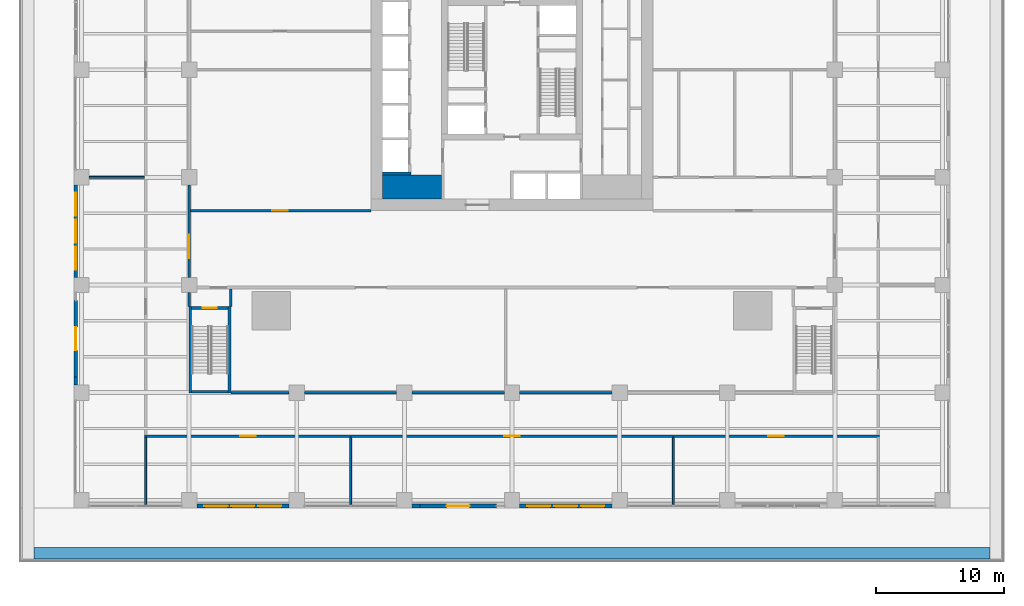
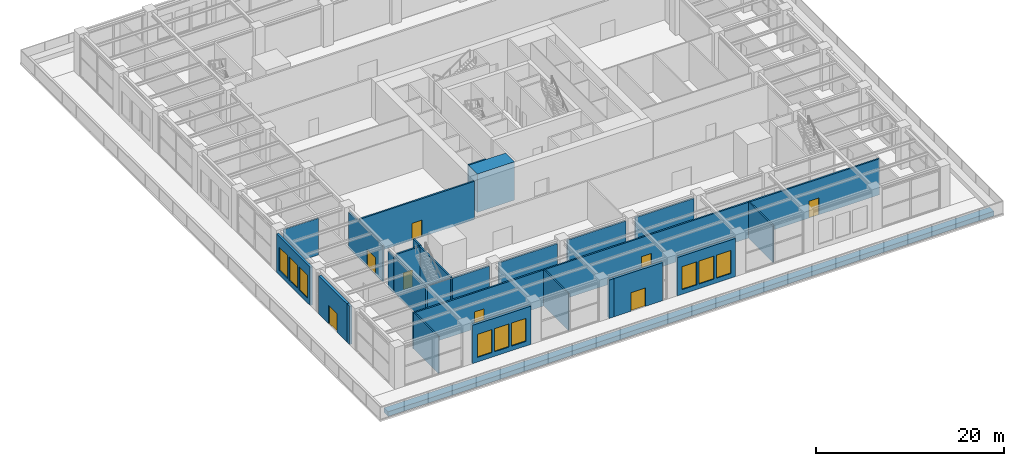
# One storey, part 22 of 36: 27 walls, 9 windows, 8 doors, 17 openings.
"""IFC4 building model written with IfcOpenShell, lengths in metres."""

from ifc_helpers import new_model, si_unit, direction, frame, frame_2d, origin, place, context, subcontext, project, spatial, rectangle, extrude, material, layer, layer_set, type_object, element, fill, save


model = new_model("IFC4")

# Units and contexts
model_context = context("Model", 3, precision=1e-05, world=origin(), true_north=direction((0.0, 1.0)))
body_context = subcontext(model_context, "Body", "Model", "MODEL_VIEW")
ifc_project = project(units=[si_unit("LENGTHUNIT", "METRE"), si_unit("AREAUNIT", "SQUARE_METRE"), si_unit("VOLUMEUNIT", "CUBIC_METRE"), si_unit("PLANEANGLEUNIT", "RADIAN"), si_unit("MASSUNIT", "GRAM", prefix="KILO")], contexts=[model_context])

# Site, building, storey
site_placement = place(None, origin())
site = spatial("IfcSite", under=ifc_project, at=site_placement, CompositionType="ELEMENT")
building_placement = place(site_placement, origin())
building = spatial("IfcBuilding", under=site, at=building_placement, Name="Khepri Terraces", CompositionType="ELEMENT")
storey_placement = place(building_placement, frame((0.0, 0.0, 16.800048828125)))
storey = spatial("IfcBuildingStorey", under=building, at=storey_placement, Name="L03", CompositionType="ELEMENT", Elevation=16.800048828125)

# Walls
ifc_material_1 = material(Name="Concrete C80/95", Category="concrete")
ifc_layer_1 = layer(ifc_material_1, 1.89990234375, Name="Concrete C80/95", Category="concrete")
ifc_layer_set_1 = layer_set([ifc_layer_1], Name="Concrete C80/95")
wall_type_1 = type_object("IfcWallType", Name="Core wall 1900 C80/95", PredefinedType="SHEAR", material=ifc_layer_set_1)
wall_1_placement = place(storey_placement, frame((-10.10009765625, -9.14990234375, 0.0), z_axis=(0.0, 0.0, 1.0), x_axis=(1.0, 0.0, 0.0)))
element("IfcWall", 1, at=wall_1_placement, inside=storey, type_object=wall_type_1, Name="Core wall PR01 L03", PredefinedType="SHEAR", context=body_context, shape_type="SweptSolid", body=[
    extrude(rectangle(XDim=4.60009765625, YDim=1.89990234375, at=frame_2d((2.300048828125, 0.0))), origin(), (0.0, 0.0, 1.0), 4.97998046875),
])
ifc_layer_2 = layer(ifc_material_1, 0.199951171875, Name="Concrete C80/95", Category="concrete")
ifc_layer_set_2 = layer_set([ifc_layer_2], Name="Concrete C80/95")
wall_type_2 = type_object("IfcWallType", Name="Core wall 200 C80/95", PredefinedType="SHEAR", material=ifc_layer_set_2)
wall_2_placement = place(storey_placement, frame((-10.10009765625, -8.10009765625, 0.0), z_axis=(0.0, 0.0, 1.0), x_axis=(1.0, 0.0, 0.0)))
element("IfcWall", 2, at=wall_2_placement, inside=storey, type_object=wall_type_2, Name="Core wall SH04 L03", PredefinedType="SHEAR", context=body_context, shape_type="SweptSolid", body=[
    extrude(rectangle(XDim=2.2001953125, YDim=0.199951171875, at=frame_2d((1.10009765625, 0.0))), origin(), (0.0, 0.0, 1.0), 4.97998046875),
])

# Wall, openings, windows
ifc_material_2 = material(Name="Precast concrete C50/60 warm stone", Category="masonry")
ifc_layer_3 = layer(ifc_material_2, 0.300048828125, Name="Precast concrete C50/60 warm stone", Category="masonry")
ifc_layer_set_3 = layer_set([ifc_layer_3], Name="Precast concrete C50/60 warm stone")
wall_type_3 = type_object("IfcWallType", Name="WL-EXT-PRECAST-300", PredefinedType="STANDARD", material=ifc_layer_set_3)
wall_3_placement = place(storey_placement, frame((-24.60009765625, -34.050048828125, 0.0), z_axis=(0.0, 0.0, 1.0), x_axis=(1.0, 0.0, 0.0)))
wall_3 = element("IfcWall", 3, at=wall_3_placement, inside=storey, type_object=wall_type_3, Name="External wall L03 S", PredefinedType="STANDARD", context=body_context, shape_type="SweptSolid", body=[
    extrude(rectangle(XDim=7.2001953125, YDim=0.300048828125, at=frame_2d((3.60009765625, 0.0))), origin(), (0.0, 0.0, 1.0), 4.97998046875),
])
opening_1_placement = place(wall_3_placement, frame((0.60009765625, 0.0, 0.60009765625)))
opening_1 = element("IfcOpeningElement", 4, at=opening_1_placement, cuts=wall_3, Name="Opening WP1", PredefinedType="OPENING", context=body_context, shape_type="SweptSolid", body=[
    extrude(rectangle(XDim=1.800048828125, YDim=3.0, at=frame_2d((0.89990234375, 1.5))), frame((0.0, 0.16015625, 0.0), z_axis=(0.0, -1.0, 0.0), x_axis=(1.0, 0.0, 0.0)), (0.0, 0.0, 1.0), 0.320068359375),
])
opening_2_placement = place(wall_3_placement, frame((2.699951171875, 0.0, 0.60009765625)))
opening_2 = element("IfcOpeningElement", 5, at=opening_2_placement, cuts=wall_3, Name="Opening WP1", PredefinedType="OPENING", context=body_context, shape_type="SweptSolid", body=[
    extrude(rectangle(XDim=1.800048828125, YDim=3.0, at=frame_2d((0.89990234375, 1.5))), frame((0.0, 0.16015625, 0.0), z_axis=(0.0, -1.0, 0.0), x_axis=(1.0, 0.0, 0.0)), (0.0, 0.0, 1.0), 0.320068359375),
])
opening_3_placement = place(wall_3_placement, frame((4.800048828125, 0.0, 0.60009765625)))
opening_3 = element("IfcOpeningElement", 6, at=opening_3_placement, cuts=wall_3, Name="Opening WP1", PredefinedType="OPENING", context=body_context, shape_type="SweptSolid", body=[
    extrude(rectangle(XDim=1.800048828125, YDim=3.0, at=frame_2d((0.89990234375, 1.5))), frame((0.0, 0.16015625, 0.0), z_axis=(0.0, -1.0, 0.0), x_axis=(1.0, 0.0, 0.0)), (0.0, 0.0, 1.0), 0.320068359375),
])
ifc_material_3 = material(Name="Clear glass", Category="glass")
window_type = type_object("IfcWindowType", Name="WIN-POD-1800x3000", PartitioningType="SINGLE_PANEL", PredefinedType="WINDOW", material=ifc_material_3)
window_1_placement = place(opening_1_placement, origin())
window_1 = element("IfcWindow", 7, at=window_1_placement, inside=storey, type_object=window_type, Name="Window L03 S", OverallHeight=3.0, OverallWidth=1.800048828125, PartitioningType="SINGLE_PANEL", PredefinedType="WINDOW", context=body_context, shape_type="SweptSolid", body=[
    extrude(rectangle(XDim=1.800048828125, YDim=3.0, at=frame_2d((0.89990234375, 1.5))), frame((0.0, 0.030029296875, 0.0), z_axis=(0.0, -1.0, 0.0), x_axis=(1.0, 0.0, 0.0)), (0.0, 0.0, 1.0), 0.06005859375),
])
fill(opening_1, window_1)
window_2_placement = place(opening_2_placement, origin())
window_2 = element("IfcWindow", 8, at=window_2_placement, inside=storey, type_object=window_type, Name="Window L03 S", OverallHeight=3.0, OverallWidth=1.800048828125, PartitioningType="SINGLE_PANEL", PredefinedType="WINDOW", context=body_context, shape_type="SweptSolid", body=[
    extrude(rectangle(XDim=1.800048828125, YDim=3.0, at=frame_2d((0.89990234375, 1.5))), frame((0.0, 0.030029296875, 0.0), z_axis=(0.0, -1.0, 0.0), x_axis=(1.0, 0.0, 0.0)), (0.0, 0.0, 1.0), 0.06005859375),
])
fill(opening_2, window_2)
window_3_placement = place(opening_3_placement, origin())
window_3 = element("IfcWindow", 9, at=window_3_placement, inside=storey, type_object=window_type, Name="Window L03 S", OverallHeight=3.0, OverallWidth=1.800048828125, PartitioningType="SINGLE_PANEL", PredefinedType="WINDOW", context=body_context, shape_type="SweptSolid", body=[
    extrude(rectangle(XDim=1.800048828125, YDim=3.0, at=frame_2d((0.89990234375, 1.5))), frame((0.0, 0.030029296875, 0.0), z_axis=(0.0, -1.0, 0.0), x_axis=(1.0, 0.0, 0.0)), (0.0, 0.0, 1.0), 0.06005859375),
])
fill(opening_3, window_3)

# Wall
wall_4_placement = place(storey_placement, frame((-7.800048828125, -34.050048828125, 0.0), z_axis=(0.0, 0.0, 1.0), x_axis=(1.0, 0.0, 0.0)))
element("IfcWall", 10, at=wall_4_placement, inside=storey, type_object=wall_type_3, Name="External wall L03 S", PredefinedType="STANDARD", context=body_context, shape_type="SweptSolid", body=[
    extrude(rectangle(XDim=0.60009765625, YDim=0.300048828125, at=frame_2d((0.300048828125, 0.0))), origin(), (0.0, 0.0, 1.0), 4.97998046875),
])

# Wall, opening, door
wall_5_placement = place(storey_placement, frame((-7.199951171875, -34.050048828125, 0.0), z_axis=(0.0, 0.0, 1.0), x_axis=(1.0, 0.0, 0.0)))
wall_5 = element("IfcWall", 11, at=wall_5_placement, inside=storey, type_object=wall_type_3, Name="External wall L03 S", PredefinedType="STANDARD", context=body_context, shape_type="SweptSolid", body=[
    extrude(rectangle(XDim=6.0, YDim=0.300048828125, at=frame_2d((3.0, 0.0))), origin(), (0.0, 0.0, 1.0), 4.97998046875),
])
opening_4_placement = place(wall_5_placement, frame((2.10009765625, 0.0, 0.0)))
opening_4 = element("IfcOpeningElement", 12, at=opening_4_placement, cuts=wall_5, Name="Opening ED-L03-01", PredefinedType="OPENING", context=body_context, shape_type="SweptSolid", body=[
    extrude(rectangle(XDim=1.800048828125, YDim=2.39990234375, at=frame_2d((0.89990234375, 1.199951171875))), frame((0.0, 0.16015625, 0.0), z_axis=(0.0, -1.0, 0.0), x_axis=(1.0, 0.0, 0.0)), (0.0, 0.0, 1.0), 0.320068359375),
])
ifc_material_4 = material(Name="Anodised aluminium bronze glazed door", Category="aluminium")
door_type_1 = type_object("IfcDoorType", Name="DR-BAL-SLIDE-1800x2400", OperationType="NOTDEFINED", PredefinedType="DOOR", material=ifc_material_4)
door_1_placement = place(opening_4_placement, origin())
door_1 = element("IfcDoor", 13, at=door_1_placement, inside=storey, type_object=door_type_1, Name="Balcony door L03 S", OperationType="SLIDING_TO_LEFT", OverallHeight=2.39990234375, OverallWidth=1.800048828125, PredefinedType="DOOR", context=body_context, shape_type="SweptSolid", body=[
    extrude(rectangle(XDim=1.800048828125, YDim=2.39990234375, at=frame_2d((0.89990234375, 1.199951171875))), frame((0.0, 0.02490234375, 0.0), z_axis=(0.0, -1.0, 0.0), x_axis=(1.0, 0.0, 0.0)), (0.0, 0.0, 1.0), 0.050048828125),
])
fill(opening_4, door_1)

# Wall, openings, windows
wall_6_placement = place(storey_placement, frame((0.60009765625, -34.050048828125, 0.0), z_axis=(0.0, 0.0, 1.0), x_axis=(1.0, 0.0, 0.0)))
wall_6 = element("IfcWall", 14, at=wall_6_placement, inside=storey, type_object=wall_type_3, Name="External wall L03 S", PredefinedType="STANDARD", context=body_context, shape_type="SweptSolid", body=[
    extrude(rectangle(XDim=7.199951171875, YDim=0.300048828125, at=frame_2d((3.60009765625, 0.0))), origin(), (0.0, 0.0, 1.0), 4.97998046875),
])
opening_5_placement = place(wall_6_placement, frame((0.60009765625, 0.0, 0.60009765625)))
opening_5 = element("IfcOpeningElement", 15, at=opening_5_placement, cuts=wall_6, Name="Opening WP1", PredefinedType="OPENING", context=body_context, shape_type="SweptSolid", body=[
    extrude(rectangle(XDim=1.800048828125, YDim=3.0, at=frame_2d((0.89990234375, 1.5))), frame((0.0, 0.16015625, 0.0), z_axis=(0.0, -1.0, 0.0), x_axis=(1.0, 0.0, 0.0)), (0.0, 0.0, 1.0), 0.320068359375),
])
opening_6_placement = place(wall_6_placement, frame((2.699951171875, 0.0, 0.60009765625)))
opening_6 = element("IfcOpeningElement", 16, at=opening_6_placement, cuts=wall_6, Name="Opening WP1", PredefinedType="OPENING", context=body_context, shape_type="SweptSolid", body=[
    extrude(rectangle(XDim=1.800048828125, YDim=3.0, at=frame_2d((0.89990234375, 1.5))), frame((0.0, 0.16015625, 0.0), z_axis=(0.0, -1.0, 0.0), x_axis=(1.0, 0.0, 0.0)), (0.0, 0.0, 1.0), 0.320068359375),
])
opening_7_placement = place(wall_6_placement, frame((4.800048828125, 0.0, 0.60009765625)))
opening_7 = element("IfcOpeningElement", 17, at=opening_7_placement, cuts=wall_6, Name="Opening WP1", PredefinedType="OPENING", context=body_context, shape_type="SweptSolid", body=[
    extrude(rectangle(XDim=1.800048828125, YDim=3.0, at=frame_2d((0.89990234375, 1.5))), frame((0.0, 0.16015625, 0.0), z_axis=(0.0, -1.0, 0.0), x_axis=(1.0, 0.0, 0.0)), (0.0, 0.0, 1.0), 0.320068359375),
])
window_4_placement = place(opening_5_placement, origin())
window_4 = element("IfcWindow", 18, at=window_4_placement, inside=storey, type_object=window_type, Name="Window L03 S", OverallHeight=3.0, OverallWidth=1.800048828125, PartitioningType="SINGLE_PANEL", PredefinedType="WINDOW", context=body_context, shape_type="SweptSolid", body=[
    extrude(rectangle(XDim=1.800048828125, YDim=3.0, at=frame_2d((0.89990234375, 1.5))), frame((0.0, 0.030029296875, 0.0), z_axis=(0.0, -1.0, 0.0), x_axis=(1.0, 0.0, 0.0)), (0.0, 0.0, 1.0), 0.06005859375),
])
fill(opening_5, window_4)
window_5_placement = place(opening_6_placement, origin())
window_5 = element("IfcWindow", 19, at=window_5_placement, inside=storey, type_object=window_type, Name="Window L03 S", OverallHeight=3.0, OverallWidth=1.800048828125, PartitioningType="SINGLE_PANEL", PredefinedType="WINDOW", context=body_context, shape_type="SweptSolid", body=[
    extrude(rectangle(XDim=1.800048828125, YDim=3.0, at=frame_2d((0.89990234375, 1.5))), frame((0.0, 0.030029296875, 0.0), z_axis=(0.0, -1.0, 0.0), x_axis=(1.0, 0.0, 0.0)), (0.0, 0.0, 1.0), 0.06005859375),
])
fill(opening_6, window_5)
window_6_placement = place(opening_7_placement, origin())
window_6 = element("IfcWindow", 20, at=window_6_placement, inside=storey, type_object=window_type, Name="Window L03 S", OverallHeight=3.0, OverallWidth=1.800048828125, PartitioningType="SINGLE_PANEL", PredefinedType="WINDOW", context=body_context, shape_type="SweptSolid", body=[
    extrude(rectangle(XDim=1.800048828125, YDim=3.0, at=frame_2d((0.89990234375, 1.5))), frame((0.0, 0.030029296875, 0.0), z_axis=(0.0, -1.0, 0.0), x_axis=(1.0, 0.0, 0.0)), (0.0, 0.0, 1.0), 0.06005859375),
])
fill(opening_7, window_6)

wall_7_placement = place(storey_placement, frame((-34.050048828125, -9.0, 0.0), z_axis=(0.0, 0.0, 1.0), x_axis=(0.0, -1.0, 0.0)))
wall_7 = element("IfcWall", 21, at=wall_7_placement, inside=storey, type_object=wall_type_3, Name="External wall L03 W", PredefinedType="STANDARD", context=body_context, shape_type="SweptSolid", body=[
    extrude(rectangle(XDim=7.199951171875, YDim=0.300048828125, at=frame_2d((3.60009765625, 0.0))), origin(), (0.0, 0.0, 1.0), 4.97998046875),
])
opening_8_placement = place(wall_7_placement, frame((0.60009765625, 0.0, 0.60009765625)))
opening_8 = element("IfcOpeningElement", 22, at=opening_8_placement, cuts=wall_7, Name="Opening WP1", PredefinedType="OPENING", context=body_context, shape_type="SweptSolid", body=[
    extrude(rectangle(XDim=1.800048828125, YDim=3.0, at=frame_2d((0.89990234375, 1.5))), frame((0.0, 0.16015625, 0.0), z_axis=(0.0, -1.0, 0.0), x_axis=(1.0, 0.0, 0.0)), (0.0, 0.0, 1.0), 0.320068359375),
])
opening_9_placement = place(wall_7_placement, frame((2.699951171875, 0.0, 0.60009765625)))
opening_9 = element("IfcOpeningElement", 23, at=opening_9_placement, cuts=wall_7, Name="Opening WP1", PredefinedType="OPENING", context=body_context, shape_type="SweptSolid", body=[
    extrude(rectangle(XDim=1.800048828125, YDim=3.0, at=frame_2d((0.89990234375, 1.5))), frame((0.0, 0.16015625, 0.0), z_axis=(0.0, -1.0, 0.0), x_axis=(1.0, 0.0, 0.0)), (0.0, 0.0, 1.0), 0.320068359375),
])
opening_10_placement = place(wall_7_placement, frame((4.800048828125, 0.0, 0.60009765625)))
opening_10 = element("IfcOpeningElement", 24, at=opening_10_placement, cuts=wall_7, Name="Opening WP1", PredefinedType="OPENING", context=body_context, shape_type="SweptSolid", body=[
    extrude(rectangle(XDim=1.800048828125, YDim=3.0, at=frame_2d((0.89990234375, 1.5))), frame((0.0, 0.16015625, 0.0), z_axis=(0.0, -1.0, 0.0), x_axis=(1.0, 0.0, 0.0)), (0.0, 0.0, 1.0), 0.320068359375),
])
window_7_placement = place(opening_8_placement, origin())
window_7 = element("IfcWindow", 25, at=window_7_placement, inside=storey, type_object=window_type, Name="Window L03 W", OverallHeight=3.0, OverallWidth=1.800048828125, PartitioningType="SINGLE_PANEL", PredefinedType="WINDOW", context=body_context, shape_type="SweptSolid", body=[
    extrude(rectangle(XDim=1.800048828125, YDim=3.0, at=frame_2d((0.89990234375, 1.5))), frame((0.0, 0.030029296875, 0.0), z_axis=(0.0, -1.0, 0.0), x_axis=(1.0, 0.0, 0.0)), (0.0, 0.0, 1.0), 0.06005859375),
])
fill(opening_8, window_7)
window_8_placement = place(opening_9_placement, origin())
window_8 = element("IfcWindow", 26, at=window_8_placement, inside=storey, type_object=window_type, Name="Window L03 W", OverallHeight=3.0, OverallWidth=1.800048828125, PartitioningType="SINGLE_PANEL", PredefinedType="WINDOW", context=body_context, shape_type="SweptSolid", body=[
    extrude(rectangle(XDim=1.800048828125, YDim=3.0, at=frame_2d((0.89990234375, 1.5))), frame((0.0, 0.030029296875, 0.0), z_axis=(0.0, -1.0, 0.0), x_axis=(1.0, 0.0, 0.0)), (0.0, 0.0, 1.0), 0.06005859375),
])
fill(opening_9, window_8)
window_9_placement = place(opening_10_placement, origin())
window_9 = element("IfcWindow", 27, at=window_9_placement, inside=storey, type_object=window_type, Name="Window L03 W", OverallHeight=3.0, OverallWidth=1.800048828125, PartitioningType="SINGLE_PANEL", PredefinedType="WINDOW", context=body_context, shape_type="SweptSolid", body=[
    extrude(rectangle(XDim=1.800048828125, YDim=3.0, at=frame_2d((0.89990234375, 1.5))), frame((0.0, 0.030029296875, 0.0), z_axis=(0.0, -1.0, 0.0), x_axis=(1.0, 0.0, 0.0)), (0.0, 0.0, 1.0), 0.06005859375),
])
fill(opening_10, window_9)

# Wall, opening, door
wall_8_placement = place(storey_placement, frame((-34.050048828125, -18.0, 0.0), z_axis=(0.0, 0.0, 1.0), x_axis=(0.0, -1.0, 0.0)))
wall_8 = element("IfcWall", 28, at=wall_8_placement, inside=storey, type_object=wall_type_3, Name="External wall L03 W", PredefinedType="STANDARD", context=body_context, shape_type="SweptSolid", body=[
    extrude(rectangle(XDim=6.0, YDim=0.300048828125, at=frame_2d((3.0, 0.0))), origin(), (0.0, 0.0, 1.0), 4.97998046875),
])
opening_11_placement = place(wall_8_placement, frame((2.10009765625, 0.0, 0.0)))
opening_11 = element("IfcOpeningElement", 29, at=opening_11_placement, cuts=wall_8, Name="Opening ED-L03-06", PredefinedType="OPENING", context=body_context, shape_type="SweptSolid", body=[
    extrude(rectangle(XDim=1.800048828125, YDim=2.39990234375, at=frame_2d((0.89990234375, 1.199951171875))), frame((0.0, 0.16015625, 0.0), z_axis=(0.0, -1.0, 0.0), x_axis=(1.0, 0.0, 0.0)), (0.0, 0.0, 1.0), 0.320068359375),
])
door_2_placement = place(opening_11_placement, origin())
door_2 = element("IfcDoor", 30, at=door_2_placement, inside=storey, type_object=door_type_1, Name="Balcony door L03 W", OperationType="SLIDING_TO_LEFT", OverallHeight=2.39990234375, OverallWidth=1.800048828125, PredefinedType="DOOR", context=body_context, shape_type="SweptSolid", body=[
    extrude(rectangle(XDim=1.800048828125, YDim=2.39990234375, at=frame_2d((0.89990234375, 1.199951171875))), frame((0.0, 0.02490234375, 0.0), z_axis=(0.0, -1.0, 0.0), x_axis=(1.0, 0.0, 0.0)), (0.0, 0.0, 1.0), 0.050048828125),
])
fill(opening_11, door_2)

# Walls
wall_9_placement = place(storey_placement, frame((-34.050048828125, -24.0, 0.0), z_axis=(0.0, 0.0, 1.0), x_axis=(0.0, -1.0, 0.0)))
element("IfcWall", 31, at=wall_9_placement, inside=storey, type_object=wall_type_3, Name="External wall L03 W", PredefinedType="STANDARD", context=body_context, shape_type="SweptSolid", body=[
    extrude(rectangle(XDim=0.60009765625, YDim=0.300048828125, at=frame_2d((0.300048828125, 0.0))), origin(), (0.0, 0.0, 1.0), 4.97998046875),
])
ifc_layer_4 = layer(ifc_material_2, 0.89990234375, Name="Precast concrete C50/60 warm stone", Category="masonry")
ifc_layer_set_4 = layer_set([ifc_layer_4], Name="Precast concrete C50/60 warm stone")
wall_type_4 = type_object("IfcWallType", Name="WL-PLANTER-900", PredefinedType="MOVABLE", material=ifc_layer_set_4)
wall_10_placement = place(storey_placement, frame((-37.300048828125, -37.75, 0.0), z_axis=(0.0, 0.0, 1.0), x_axis=(1.0, 0.0, 0.0)))
element("IfcWall", 32, at=wall_10_placement, inside=storey, type_object=wall_type_4, Name="Planter L03", PredefinedType="MOVABLE", context=body_context, shape_type="SweptSolid", body=[
    extrude(rectangle(XDim=74.60009765625, YDim=0.89990234375, at=frame_2d((37.300048828125, 0.0))), origin(), (0.0, 0.0, 1.0), 0.599853515625),
])
ifc_material_5 = material(Name="Gypsum board partition")
ifc_layer_5 = layer(ifc_material_5, 0.14990234375, Name="Gypsum board partition")
ifc_layer_set_5 = layer_set([ifc_layer_5], Name="Gypsum board partition")
wall_type_5 = type_object("IfcWallType", Name="WL-POD-150", PredefinedType="PARTITIONING", material=ifc_layer_set_5)
wall_11_placement = place(storey_placement, frame((-33.0, -8.39990234375, 0.0), z_axis=(0.0, 0.0, 1.0), x_axis=(1.0, 0.0, 0.0)))
element("IfcWall", 33, at=wall_11_placement, inside=storey, type_object=wall_type_5, Name="Partition L03-PW012", PredefinedType="PARTITIONING", context=body_context, shape_type="SweptSolid", body=[
    extrude(rectangle(XDim=4.300048828125, YDim=0.14990234375, at=frame_2d((2.14990234375, 0.0))), origin(), (0.0, 0.0, 1.0), 4.780029296875),
])
for number, where, z_axis, x_axis, name in (
    (34, (-28.60009765625, -33.949951171875, 0.0), (0.0, 0.0, 1.0), (0.0, 1.0, 0.0), "Partition L03-PW031"),
    (35, (-12.60009765625, -33.949951171875, 0.0), (0.0, 0.0, 1.0), (0.0, 1.0, 0.0), "Partition L03-PW042"),
    (36, (12.60009765625, -33.949951171875, 0.0), (0.0, 0.0, 1.0), (0.0, 1.0, 0.0), "Partition L03-PW045"),
):
    element("IfcWall", number, at=place(storey_placement, frame(where, z_axis=z_axis, x_axis=x_axis)), inside=storey, type_object=wall_type_5, Name=name, PredefinedType="PARTITIONING", context=body_context, shape_type="SweptSolid", body=[
        extrude(rectangle(XDim=5.25, YDim=0.14990234375, at=frame_2d((2.625, 0.0))), origin(), (0.0, 0.0, 1.0), 4.780029296875),
    ])

# Wall, openings, doors
ifc_material_6 = material(Name="Fire-rated block wall")
ifc_layer_6 = layer(ifc_material_6, 0.199951171875, Name="Fire-rated block wall")
ifc_layer_set_6 = layer_set([ifc_layer_6], Name="Fire-rated block wall")
wall_type_6 = type_object("IfcWallType", Name="WL-POD-200-EI60", PredefinedType="PARTITIONING", material=ifc_layer_set_6)
wall_12_placement = place(storey_placement, frame((-28.699951171875, -28.60009765625, 0.0), z_axis=(0.0, 0.0, 1.0), x_axis=(1.0, 0.0, 0.0)))
wall_12 = element("IfcWall", 37, at=wall_12_placement, inside=storey, type_object=wall_type_6, Name="Partition L03-PW001", PredefinedType="PARTITIONING", context=body_context, shape_type="SweptSolid", body=[
    extrude(rectangle(XDim=57.39990234375, YDim=0.199951171875, at=frame_2d((28.699951171875, 0.0))), origin(), (0.0, 0.0, 1.0), 4.679931640625),
])
opening_12_placement = place(wall_12_placement, frame((7.5, 0.0, 0.0)))
opening_12 = element("IfcOpeningElement", 38, at=opening_12_placement, cuts=wall_12, Name="Opening L03-P01", PredefinedType="OPENING", context=body_context, shape_type="SweptSolid", body=[
    extrude(rectangle(XDim=1.199951171875, YDim=2.199951171875, at=frame_2d((0.60009765625, 1.10009765625))), frame((0.0, 0.10986328125, 0.0), z_axis=(0.0, -1.0, 0.0), x_axis=(1.0, 0.0, 0.0)), (0.0, 0.0, 1.0), 0.219970703125),
])
opening_13_placement = place(wall_12_placement, frame((28.10009765625, 0.0, 0.0)))
opening_13 = element("IfcOpeningElement", 39, at=opening_13_placement, cuts=wall_12, Name="Opening L03-P02", PredefinedType="OPENING", context=body_context, shape_type="SweptSolid", body=[
    extrude(rectangle(XDim=1.199951171875, YDim=2.199951171875, at=frame_2d((0.60009765625, 1.10009765625))), frame((0.0, 0.10986328125, 0.0), z_axis=(0.0, -1.0, 0.0), x_axis=(1.0, 0.0, 0.0)), (0.0, 0.0, 1.0), 0.219970703125),
])
opening_14_placement = place(wall_12_placement, frame((48.699951171875, 0.0, 0.0)))
opening_14 = element("IfcOpeningElement", 40, at=opening_14_placement, cuts=wall_12, Name="Opening L03-P03", PredefinedType="OPENING", context=body_context, shape_type="SweptSolid", body=[
    extrude(rectangle(XDim=1.199951171875, YDim=2.199951171875, at=frame_2d((0.60009765625, 1.10009765625))), frame((0.0, 0.10986328125, 0.0), z_axis=(0.0, -1.0, 0.0), x_axis=(1.0, 0.0, 0.0)), (0.0, 0.0, 1.0), 0.219970703125),
])
ifc_material_7 = material(Name="Timber veneer", Category="wood")
door_type_2 = type_object("IfcDoorType", Name="DR-POD-SINGLE-1200", OperationType="NOTDEFINED", PredefinedType="DOOR", material=ifc_material_7)
door_3_placement = place(opening_12_placement, origin())
door_3 = element("IfcDoor", 41, at=door_3_placement, inside=storey, type_object=door_type_2, Name="Door L03-P01", OperationType="SINGLE_SWING_RIGHT", OverallHeight=2.199951171875, OverallWidth=1.199951171875, PredefinedType="DOOR", context=body_context, shape_type="SweptSolid", body=[
    extrude(rectangle(XDim=1.199951171875, YDim=2.199951171875, at=frame_2d((0.60009765625, 1.10009765625))), frame((0.0, 0.02490234375, 0.0), z_axis=(0.0, -1.0, 0.0), x_axis=(1.0, 0.0, 0.0)), (0.0, 0.0, 1.0), 0.050048828125),
])
fill(opening_12, door_3)
door_4_placement = place(opening_13_placement, origin())
door_4 = element("IfcDoor", 42, at=door_4_placement, inside=storey, type_object=door_type_2, Name="Door L03-P02", OperationType="SINGLE_SWING_RIGHT", OverallHeight=2.199951171875, OverallWidth=1.199951171875, PredefinedType="DOOR", context=body_context, shape_type="SweptSolid", body=[
    extrude(rectangle(XDim=1.199951171875, YDim=2.199951171875, at=frame_2d((0.60009765625, 1.10009765625))), frame((0.0, 0.02490234375, 0.0), z_axis=(0.0, -1.0, 0.0), x_axis=(1.0, 0.0, 0.0)), (0.0, 0.0, 1.0), 0.050048828125),
])
fill(opening_13, door_4)
door_5_placement = place(opening_14_placement, origin())
door_5 = element("IfcDoor", 43, at=door_5_placement, inside=storey, type_object=door_type_2, Name="Door L03-P03", OperationType="SINGLE_SWING_LEFT", OverallHeight=2.199951171875, OverallWidth=1.199951171875, PredefinedType="DOOR", context=body_context, shape_type="SweptSolid", body=[
    extrude(rectangle(XDim=1.199951171875, YDim=2.199951171875, at=frame_2d((0.60009765625, 1.10009765625))), frame((0.0, 0.02490234375, 0.0), z_axis=(0.0, -1.0, 0.0), x_axis=(1.0, 0.0, 0.0)), (0.0, 0.0, 1.0), 0.050048828125),
])
fill(opening_14, door_5)

# Walls
wall_13_placement = place(storey_placement, frame((-21.949951171875, -25.199951171875, 0.0), z_axis=(0.0, 0.0, 1.0), x_axis=(1.0, 0.0, 0.0)))
element("IfcWall", 44, at=wall_13_placement, inside=storey, type_object=wall_type_6, Name="Partition L03-PW002", PredefinedType="PARTITIONING", context=body_context, shape_type="SweptSolid", body=[
    extrude(rectangle(XDim=4.550048828125, YDim=0.199951171875, at=frame_2d((2.27490234375, 0.0))), origin(), (0.0, 0.0, 1.0), 4.780029296875),
])
for number, where, z_axis, x_axis, name in (
    (45, (-16.199951171875, -25.199951171875, 0.0), (0.0, 0.0, 1.0), (1.0, 0.0, 0.0), "Partition L03-PW003"),
    (46, (-7.800048828125, -25.199951171875, 0.0), (0.0, 0.0, 1.0), (1.0, 0.0, 0.0), "Partition L03-PW004"),
    (47, (0.60009765625, -25.199951171875, 0.0), (0.0, 0.0, 1.0), (1.0, 0.0, 0.0), "Partition L03-PW005"),
):
    element("IfcWall", number, at=place(storey_placement, frame(where, z_axis=z_axis, x_axis=x_axis)), inside=storey, type_object=wall_type_6, Name=name, PredefinedType="PARTITIONING", context=body_context, shape_type="SweptSolid", body=[
        extrude(rectangle(XDim=7.199951171875, YDim=0.199951171875, at=frame_2d((3.60009765625, 0.0))), origin(), (0.0, 0.0, 1.0), 4.780029296875),
    ])

# Wall, opening, door
wall_14_placement = place(storey_placement, frame((-25.10009765625, -11.0, 0.0), z_axis=(0.0, 0.0, 1.0), x_axis=(1.0, 0.0, 0.0)))
wall_14 = element("IfcWall", 48, at=wall_14_placement, inside=storey, type_object=wall_type_6, Name="Partition L03-PW010", PredefinedType="PARTITIONING", context=body_context, shape_type="SweptSolid", body=[
    extrude(rectangle(XDim=14.10009765625, YDim=0.199951171875, at=frame_2d((7.050048828125, 0.0))), origin(), (0.0, 0.0, 1.0), 4.97998046875),
])
opening_15_placement = place(wall_14_placement, frame((6.39990234375, 0.0, 0.0)))
opening_15 = element("IfcOpeningElement", 49, at=opening_15_placement, cuts=wall_14, Name="Opening L03-P13", PredefinedType="OPENING", context=body_context, shape_type="SweptSolid", body=[
    extrude(rectangle(XDim=1.199951171875, YDim=2.199951171875, at=frame_2d((0.60009765625, 1.10009765625))), frame((0.0, 0.10986328125, 0.0), z_axis=(0.0, -1.0, 0.0), x_axis=(1.0, 0.0, 0.0)), (0.0, 0.0, 1.0), 0.219970703125),
])
door_6_placement = place(opening_15_placement, origin())
door_6 = element("IfcDoor", 50, at=door_6_placement, inside=storey, type_object=door_type_2, Name="Door L03-P13", OperationType="SINGLE_SWING_LEFT", OverallHeight=2.199951171875, OverallWidth=1.199951171875, PredefinedType="DOOR", context=body_context, shape_type="SweptSolid", body=[
    extrude(rectangle(XDim=1.199951171875, YDim=2.199951171875, at=frame_2d((0.60009765625, 1.10009765625))), frame((0.0, 0.02490234375, 0.0), z_axis=(0.0, -1.0, 0.0), x_axis=(1.0, 0.0, 0.0)), (0.0, 0.0, 1.0), 0.050048828125),
])
fill(opening_15, door_6)

# Wall
wall_15_placement = place(storey_placement, frame((-25.199951171875, -18.5, 0.0), z_axis=(0.0, 0.0, 1.0), x_axis=(0.0, 1.0, 0.0)))
element("IfcWall", 51, at=wall_15_placement, inside=storey, type_object=wall_type_6, Name="Partition L03-PW034", PredefinedType="PARTITIONING", context=body_context, shape_type="SweptSolid", body=[
    extrude(rectangle(XDim=1.10009765625, YDim=0.199951171875, at=frame_2d((0.550048828125, 0.0))), origin(), (0.0, 0.0, 1.0), 4.679931640625),
])

# Wall, opening, door
wall_16_placement = place(storey_placement, frame((-25.199951171875, -16.199951171875, 0.0), z_axis=(0.0, 0.0, 1.0), x_axis=(0.0, 1.0, 0.0)))
wall_16 = element("IfcWall", 52, at=wall_16_placement, inside=storey, type_object=wall_type_6, Name="Partition L03-PW035", PredefinedType="PARTITIONING", context=body_context, shape_type="SweptSolid", body=[
    extrude(rectangle(XDim=7.199951171875, YDim=0.199951171875, at=frame_2d((3.60009765625, 0.0))), origin(), (0.0, 0.0, 1.0), 4.679931640625),
])
opening_16_placement = place(wall_16_placement, frame((1.5, 0.0, 0.0)))
opening_16 = element("IfcOpeningElement", 53, at=opening_16_placement, cuts=wall_16, Name="Opening L03-P10", PredefinedType="OPENING", context=body_context, shape_type="SweptSolid", body=[
    extrude(rectangle(XDim=1.800048828125, YDim=2.199951171875, at=frame_2d((0.89990234375, 1.10009765625))), frame((0.0, 0.10986328125, 0.0), z_axis=(0.0, -1.0, 0.0), x_axis=(1.0, 0.0, 0.0)), (0.0, 0.0, 1.0), 0.219970703125),
])
ifc_material_8 = material(Name="Painted steel", Category="steel")
door_type_3 = type_object("IfcDoorType", Name="DR-POD-FIRE-PAIR-1800", OperationType="DOUBLE_DOOR_SINGLE_SWING", PredefinedType="DOOR", material=ifc_material_8)
door_7_placement = place(opening_16_placement, origin())
door_7 = element("IfcDoor", 54, at=door_7_placement, inside=storey, type_object=door_type_3, Name="Fire door pair L03-P10", OperationType="DOUBLE_DOOR_SINGLE_SWING", OverallHeight=2.199951171875, OverallWidth=1.800048828125, PredefinedType="DOOR", context=body_context, shape_type="SweptSolid", body=[
    extrude(rectangle(XDim=1.800048828125, YDim=2.199951171875, at=frame_2d((0.89990234375, 1.10009765625))), frame((0.0, 0.02490234375, 0.0), z_axis=(0.0, -1.0, 0.0), x_axis=(1.0, 0.0, 0.0)), (0.0, 0.0, 1.0), 0.050048828125),
])
fill(opening_16, door_7)

# Walls
wall_17_placement = place(storey_placement, frame((-21.949951171875, -18.5, 0.0), z_axis=(0.0, 0.0, 1.0), x_axis=(0.0, 1.0, 0.0)))
element("IfcWall", 55, at=wall_17_placement, inside=storey, type_object=wall_type_6, Name="Partition L03-PW040", PredefinedType="PARTITIONING", context=body_context, shape_type="SweptSolid", body=[
    extrude(rectangle(XDim=1.39990234375, YDim=0.199951171875, at=frame_2d((0.699951171875, 0.0))), origin(), (0.0, 0.0, 1.0), 4.97998046875),
])
ifc_material_9 = material(Name="Concrete C40/50", Category="concrete")
ifc_layer_7 = layer(ifc_material_9, 0.199951171875, Name="Concrete C40/50", Category="concrete")
ifc_layer_set_7 = layer_set([ifc_layer_7], Name="Concrete C40/50")
wall_type_7 = type_object("IfcWallType", Name="WL-POD-STAIR-200", PredefinedType="SOLIDWALL", material=ifc_layer_set_7)
wall_18_placement = place(storey_placement, frame((-25.10009765625, -25.239990234375, 0.0), z_axis=(0.0, 0.0, 1.0), x_axis=(0.0, 1.0, 0.0)))
element("IfcWall", 56, at=wall_18_placement, inside=storey, type_object=wall_type_7, Name="Stair enclosure PS-4 L03-W", PredefinedType="SOLIDWALL", context=body_context, shape_type="SweptSolid", body=[
    extrude(rectangle(XDim=6.739990234375, YDim=0.199951171875, at=frame_2d((3.3701171875, 0.0))), origin(), (0.0, 0.0, 1.0), 4.679931640625),
])
wall_19_placement = place(storey_placement, frame((-22.050048828125, -25.239990234375, 0.0), z_axis=(0.0, 0.0, 1.0), x_axis=(0.0, 1.0, 0.0)))
element("IfcWall", 57, at=wall_19_placement, inside=storey, type_object=wall_type_7, Name="Stair enclosure PS-4 L03-E", PredefinedType="SOLIDWALL", context=body_context, shape_type="SweptSolid", body=[
    extrude(rectangle(XDim=6.739990234375, YDim=0.199951171875, at=frame_2d((3.3701171875, 0.0))), origin(), (0.0, 0.0, 1.0), 4.97998046875),
])
wall_20_placement = place(storey_placement, frame((-25.0, -25.139892578125, 0.0), z_axis=(0.0, 0.0, 1.0), x_axis=(1.0, 0.0, 0.0)))
element("IfcWall", 58, at=wall_20_placement, inside=storey, type_object=wall_type_7, Name="Stair enclosure PS-4 L03-S", PredefinedType="SOLIDWALL", context=body_context, shape_type="SweptSolid", body=[
    extrude(rectangle(XDim=2.85009765625, YDim=0.199951171875, at=frame_2d((1.425048828125, 0.0))), origin(), (0.0, 0.0, 1.0), 4.780029296875),
])

# Wall, opening, door
wall_21_placement = place(storey_placement, frame((-25.0, -18.60009765625, 0.0), z_axis=(0.0, 0.0, 1.0), x_axis=(1.0, 0.0, 0.0)))
wall_21 = element("IfcWall", 59, at=wall_21_placement, inside=storey, type_object=wall_type_7, Name="Stair enclosure PS-4 L03-N", PredefinedType="SOLIDWALL", context=body_context, shape_type="SweptSolid", body=[
    extrude(rectangle(XDim=2.85009765625, YDim=0.199951171875, at=frame_2d((1.425048828125, 0.0))), origin(), (0.0, 0.0, 1.0), 4.97998046875),
])
opening_17_placement = place(wall_21_placement, frame((0.875, 0.0, 0.0)))
opening_17 = element("IfcOpeningElement", 60, at=opening_17_placement, cuts=wall_21, Name="Opening L03-PS-4D", PredefinedType="OPENING", context=body_context, shape_type="SweptSolid", body=[
    extrude(rectangle(XDim=1.10009765625, YDim=2.199951171875, at=frame_2d((0.550048828125, 1.10009765625))), frame((0.0, 0.10986328125, 0.0), z_axis=(0.0, -1.0, 0.0), x_axis=(1.0, 0.0, 0.0)), (0.0, 0.0, 1.0), 0.219970703125),
])
door_type_4 = type_object("IfcDoorType", Name="DR-POD-STAIR-1100", OperationType="NOTDEFINED", PredefinedType="DOOR", material=ifc_material_8)
door_8_placement = place(opening_17_placement, origin())
door_8 = element("IfcDoor", 61, at=door_8_placement, inside=storey, type_object=door_type_4, Name="Stair door L03-PS-4D", OperationType="SINGLE_SWING_RIGHT", OverallHeight=2.199951171875, OverallWidth=1.10009765625, PredefinedType="DOOR", context=body_context, shape_type="SweptSolid", body=[
    extrude(rectangle(XDim=1.10009765625, YDim=2.199951171875, at=frame_2d((0.550048828125, 1.10009765625))), frame((0.0, 0.02490234375, 0.0), z_axis=(0.0, -1.0, 0.0), x_axis=(1.0, 0.0, 0.0)), (0.0, 0.0, 1.0), 0.050048828125),
])
fill(opening_17, door_8)

save(model, "model.ifc")
